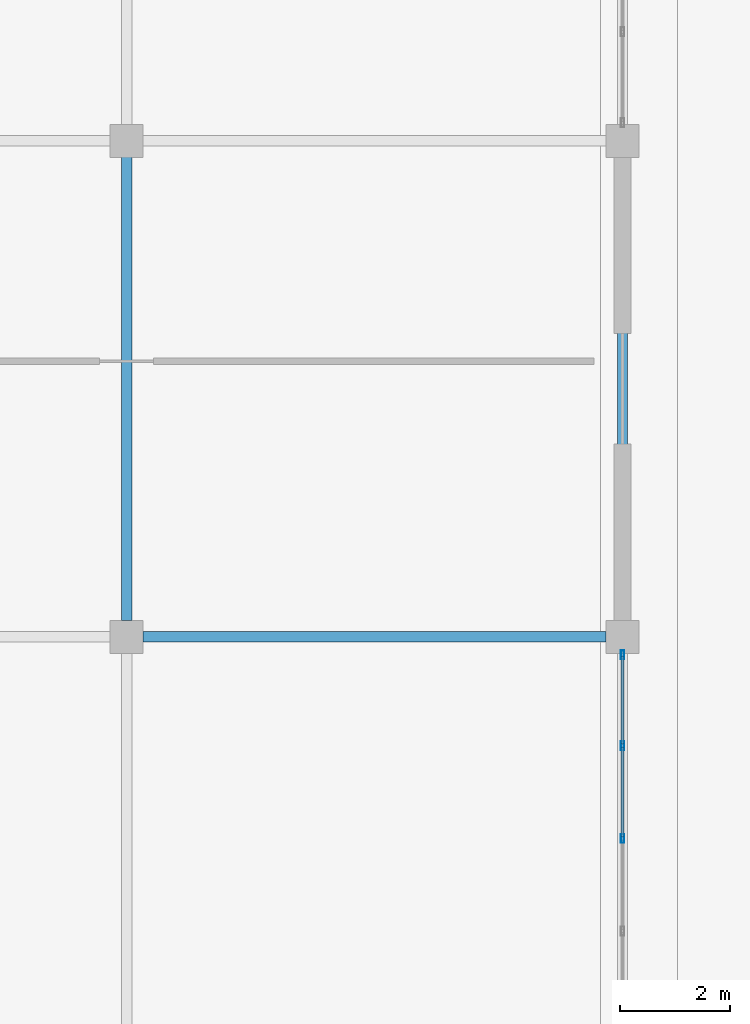
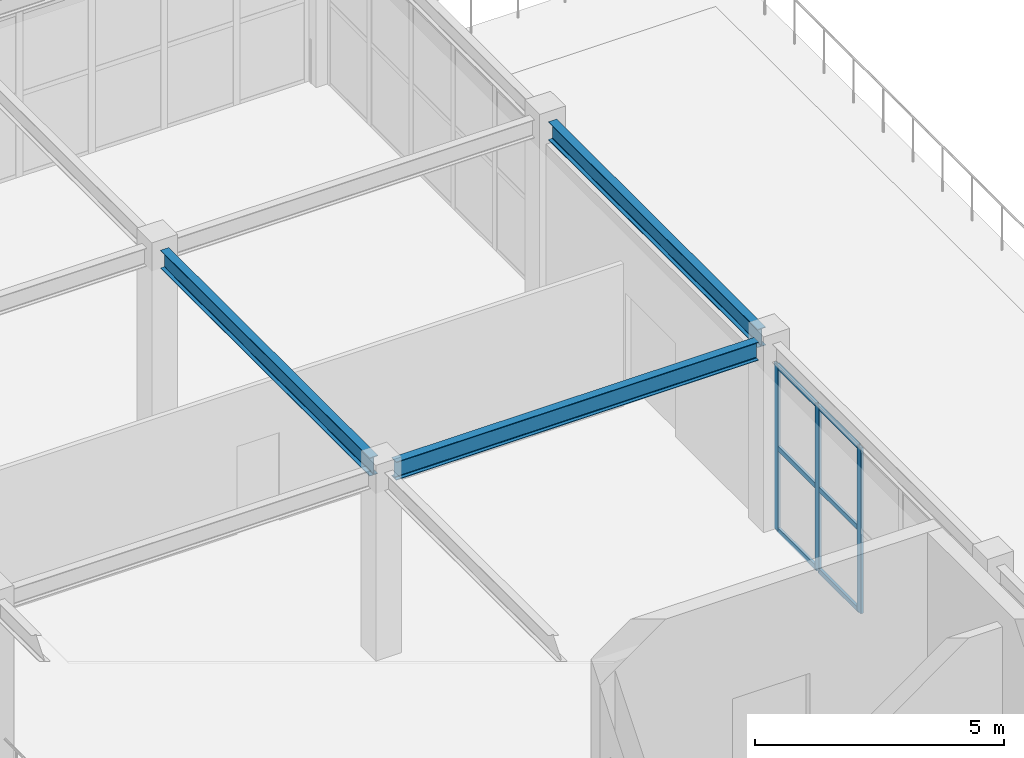
# One storey, part 90 of 167: 9 members, 3 beams, 1 element without a shape of its own.
"""IFC4 building model written with IfcOpenShell, lengths in metres."""

import ifcopenshell
import ifcopenshell.guid

model = None  # the IFC model being written
_history = None  # IfcOwnerHistory: only IFC2X3 demands one
_inside = {}  # id of a spatial element -> (the spatial element, [elements in it])
_under = {}  # id of a project, library or spatial element -> (it, [spatial elements below it])
_declared = {}  # id of a project -> (the project, [libraries it declares])
_typed = {}  # id of a type object -> (the type object, [elements of that type])
_made_of = {}  # id of a material, layer set ... -> (it, [elements and type objects made of it])


def new_model(schema):
    """Start an empty IFC model of exactly this schema.

    Asked for "IFC4X3", IfcOpenShell would pick the latest addendum, in which some entities
    have other attributes; the version numbers below select the first issue.
    IFC2X3 requires an IfcOwnerHistory on every rooted entity: one is made here for all.
    """
    global model, _history
    if schema == "IFC4X3":
        model = ifcopenshell.file(schema_version=(4, 3, 0, 0))
    else:
        model = ifcopenshell.file(schema=schema)
    _inside.clear()
    _under.clear()
    _declared.clear()
    _typed.clear()
    _made_of.clear()
    _history = None
    if model.schema == "IFC2X3":
        org = make("IfcOrganization", Name="unknown")
        user = make(
            "IfcPersonAndOrganization",
            ThePerson=make("IfcPerson", FamilyName="unknown"),
            TheOrganization=org,
        )
        app = make(
            "IfcApplication",
            ApplicationDeveloper=org,
            Version="unknown",
            ApplicationFullName="unknown",
            ApplicationIdentifier="unknown",
        )
        _history = make(
            "IfcOwnerHistory",
            OwningUser=user,
            OwningApplication=app,
            ChangeAction="ADDED",
            CreationDate=0,
        )
    return model


def make(cls, **values):
    """One entity of the class cls with the attributes given. An attribute that is None is left unset."""
    return model.create_entity(
        cls, **{name: value for name, value in values.items() if value is not None}
    )


def rooted(cls, **values):
    """An entity with a GlobalId (a new one), such as an element, a storey or a relation."""
    return make(cls, GlobalId=ifcopenshell.guid.new(), OwnerHistory=_history, **values)


def si_unit(unit_type, name, prefix=None):
    """IfcSIUnit, for example si_unit("LENGTHUNIT", "METRE", prefix="MILLI")."""
    return make("IfcSIUnit", UnitType=unit_type, Prefix=prefix, Name=name)


def assignment(units):
    """IfcUnitAssignment: the units of a project."""
    return None if units is None else make("IfcUnitAssignment", Units=units)


def point(xyz):
    """IfcCartesianPoint."""
    return None if xyz is None else make("IfcCartesianPoint", Coordinates=xyz)


def direction(xyz):
    """IfcDirection."""
    return None if xyz is None else make("IfcDirection", DirectionRatios=xyz)


def frame(location, z_axis=None, x_axis=None):
    """IfcAxis2Placement3D, a coordinate frame: its origin and axes. An axis left out is left unset."""
    return make(
        "IfcAxis2Placement3D",
        Location=point(location),
        Axis=direction(z_axis),
        RefDirection=direction(x_axis),
    )


def frame_2d(location, x_axis=None):
    """IfcAxis2Placement2D, a coordinate frame in the plane: its origin and x axis."""
    return make(
        "IfcAxis2Placement2D", Location=point(location), RefDirection=direction(x_axis)
    )


def origin():
    """The frame at (0, 0, 0) with its axes left unset."""
    return frame((0.0, 0.0, 0.0))


def origin_2d():
    """The frame at (0, 0) in the plane with its x axis left unset."""
    return frame_2d((0.0, 0.0))


def place(relative_to, where):
    """IfcLocalPlacement: puts the frame where relative to a parent placement (None: the world)."""
    return make(
        "IfcLocalPlacement", PlacementRelTo=relative_to, RelativePlacement=where
    )


def context(
    kind, dimensions, precision=None, world=None, true_north=None, identifier=None
):
    """IfcGeometricRepresentationContext, for example the 3D "Model" context."""
    return make(
        "IfcGeometricRepresentationContext",
        ContextIdentifier=identifier,
        ContextType=kind,
        CoordinateSpaceDimension=dimensions,
        Precision=precision,
        WorldCoordinateSystem=world,
        TrueNorth=true_north,
    )


def subcontext(parent, identifier, kind, view, scale=None):
    """IfcGeometricRepresentationSubContext, for example "Body" below "Model"."""
    return make(
        "IfcGeometricRepresentationSubContext",
        ContextIdentifier=identifier,
        ContextType=kind,
        ParentContext=parent,
        TargetScale=scale,
        TargetView=view,
    )


def project(units=None, contexts=None):
    """IfcProject with its units and contexts."""
    return rooted(
        "IfcProject",
        Name="project",
        RepresentationContexts=contexts,
        UnitsInContext=assignment(units),
    )


def spatial(cls, under=None, at=None, **own):
    """A site, building, storey or space (cls), placed at a placement, below another one or the project."""
    s = rooted(cls, ObjectPlacement=at, **own)
    if under is not None:
        _under.setdefault(under.id(), (under, []))[1].append(s)
    return s


def profile(cls, at=None, kind="AREA", **sizes):
    """A parametric profile (cls). Its sizes go by their IFC names, for example OverallWidth=200.0."""
    return make(cls, ProfileType=kind, Position=at, **sizes)


def hollow_rectangle(**sizes):
    """IfcRectangleHollowProfileDef."""
    return profile("IfcRectangleHollowProfileDef", **sizes)


def i_section(**sizes):
    """IfcIShapeProfileDef."""
    return profile("IfcIShapeProfileDef", **sizes)


def extrude(swept, where, along, depth):
    """IfcExtrudedAreaSolid: the profile swept, set in the frame where, extruded along a direction by depth."""
    return make(
        "IfcExtrudedAreaSolid",
        SweptArea=swept,
        Position=where,
        ExtrudedDirection=direction(along),
        Depth=depth,
    )


def shape(context_of_items, identifier, shape_type, items):
    """IfcShapeRepresentation: the items that make up one representation, for example the "Body"."""
    return make(
        "IfcShapeRepresentation",
        ContextOfItems=context_of_items,
        RepresentationIdentifier=identifier,
        RepresentationType=shape_type,
        Items=items,
    )


def material(Name=None, Category=None):
    """IfcMaterial."""
    return make("IfcMaterial", Name=Name, Category=Category)


def layer(
    of_material, thickness, ventilated=None, Name=None, Category=None, Priority=None
):
    """IfcMaterialLayer: one layer of a wall or slab, of a material (None: an air gap)."""
    return make(
        "IfcMaterialLayer",
        Material=of_material,
        LayerThickness=thickness,
        IsVentilated=ventilated,
        Name=Name,
        Category=Category,
        Priority=Priority,
    )


def layer_set(layers, Name=None):
    """IfcMaterialLayerSet."""
    return make("IfcMaterialLayerSet", MaterialLayers=layers, LayerSetName=Name)


def material_profile(
    of_material, cross_section, Name=None, Category=None, Priority=None
):
    """IfcMaterialProfile: a cross section and its material."""
    return make(
        "IfcMaterialProfile",
        Name=Name,
        Material=of_material,
        Profile=cross_section,
        Priority=Priority,
        Category=Category,
    )


def profile_set(profiles, Name=None, composite=None):
    """IfcMaterialProfileSet."""
    return make(
        "IfcMaterialProfileSet",
        Name=Name,
        MaterialProfiles=profiles,
        CompositeProfile=composite,
    )


def made_of(thing, what):
    """Note that an element or type object is made of a material, layer set ...; save() writes the relation."""
    if what is not None:
        _made_of.setdefault(what.id(), (what, []))[1].append(thing)
    return thing


def type_object(cls, material=None, **own):
    """A type object (cls), such as IfcWallType, which elements share."""
    return made_of(rooted(cls, **own), material)


def element(
    cls,
    number,
    at=None,
    inside=None,
    cuts=None,
    type_object=None,
    material=None,
    context=None,
    identifier="Body",
    shape_type=None,
    held_by="IfcProductDefinitionShape",
    body=None,
    shapes=None,
    **own,
):
    """One element of the class cls, such as IfcWall. Its Tag is "e" and its number.

    at: its placement. inside: the storey or other place that contains it. cuts: it is an
    opening in that element (IfcRelVoidsElement). A single representation is given by context,
    identifier, shape_type and body (its items); several are given by shapes. held_by: the class
    of the entity that holds the representations. save() writes the other relations.
    """
    e = rooted(cls, Tag="e%d" % number, ObjectPlacement=at, **own)
    if body is not None:
        shapes = [shape(context, identifier, shape_type, body)]
    if shapes is not None:
        e.Representation = make(held_by, Representations=shapes)
    if inside is not None:
        _inside.setdefault(inside.id(), (inside, []))[1].append(e)
    if cuts is not None:
        rooted(
            "IfcRelVoidsElement", RelatingBuildingElement=cuts, RelatedOpeningElement=e
        )
    if type_object is not None:
        _typed.setdefault(type_object.id(), (type_object, []))[1].append(e)
    return made_of(e, material)


def aggregate(whole, parts):
    """IfcRelAggregates: a whole, such as a stair, and the parts it consists of."""
    return rooted("IfcRelAggregates", RelatingObject=whole, RelatedObjects=parts)


def save(model, path):
    """Write the relations noted so far, then the file.

    IfcRelAggregates (storeys below a building ...), IfcRelContainedInSpatialStructure (elements
    in a storey), IfcRelDefinesByType, IfcRelAssociatesMaterial and IfcRelDeclares: one each for
    every whole, place, type object, material and project.
    """
    for whole, parts in _under.values():
        aggregate(whole, parts)
    for where, things in _inside.values():
        rooted(
            "IfcRelContainedInSpatialStructure",
            RelatedElements=things,
            RelatingStructure=where,
        )
    for kind, things in _typed.values():
        rooted("IfcRelDefinesByType", RelatedObjects=things, RelatingType=kind)
    for what, things in _made_of.values():
        rooted("IfcRelAssociatesMaterial", RelatedObjects=things, RelatingMaterial=what)
    for by, libraries in _declared.values():
        rooted("IfcRelDeclares", RelatingContext=by, RelatedDefinitions=libraries)
    model.write(path)


model = new_model("IFC4")

# Units and contexts
model_context = context("Model", 3, precision=1e-05, world=origin(), true_north=direction((0.0, 1.0)))
body_context = subcontext(model_context, "Body", "Model", "MODEL_VIEW")
ifc_project = project(units=[si_unit("LENGTHUNIT", "METRE"), si_unit("AREAUNIT", "SQUARE_METRE"), si_unit("VOLUMEUNIT", "CUBIC_METRE"), si_unit("PLANEANGLEUNIT", "RADIAN"), si_unit("MASSUNIT", "GRAM", prefix="KILO")], contexts=[model_context])

# Site, building, storey
site_placement = place(None, origin())
site = spatial("IfcSite", under=ifc_project, at=site_placement, CompositionType="ELEMENT")
building_placement = place(site_placement, origin())
building = spatial("IfcBuilding", under=site, at=building_placement, Name="Dornveld Trade and Exhibition Forum", CompositionType="ELEMENT")
storey_placement = place(building_placement, frame((0.0, 0.0, 16.800048828125)))
storey = spatial("IfcBuildingStorey", under=building, at=storey_placement, Name="L03", CompositionType="ELEMENT", Elevation=16.800048828125)

# Beams
ifc_material_1 = material(Name="Steel S355J2", Category="steel")
ifc_material_profile_1 = material_profile(ifc_material_1, i_section(OverallWidth=0.18994140625, OverallDepth=0.449951171875, WebThickness=0.009521484375, FlangeThickness=0.0146484375, FilletRadius=0.02099609375, at=origin_2d()), Name="IPE 450")
ifc_profile_set_1 = profile_set([ifc_material_profile_1], Name="Steel S355J2")
beam_type = type_object("IfcBeamType", Name="BM-SEC-450", PredefinedType="BEAM", material=ifc_profile_set_1)
for number, where, z_axis, x_axis, name in (
    (1, (207.2958984375, 36.0, 4.324951171875), (1.0, 0.0, 0.0), (0.0, 1.0, 0.0), "L03 X-girder 1612"),
    (2, (207.0, 36.2958984375, 4.324951171875), (0.0, 1.0, 0.0), (-1.0, 0.0, 0.0), "L03 Y-girder 1627"),
    (3, (216.0, 36.2958984375, 4.324951171875), (0.0, 1.0, 0.0), (-1.0, 0.0, 0.0), "L03 Y-girder 1633"),
):
    element("IfcBeam", number, at=place(storey_placement, frame(where, z_axis=z_axis, x_axis=x_axis)), inside=storey, type_object=beam_type, Name=name, PredefinedType="BEAM", context=body_context, shape_type="SweptSolid", body=[
        extrude(i_section(OverallWidth=0.18994140625, OverallDepth=0.449951171875, WebThickness=0.009521484375, FlangeThickness=0.0146484375, FilletRadius=0.02099609375, at=origin_2d()), origin(), (0.0, 0.0, 1.0), 8.408203125),
    ])

# Curtain wall, members
ifc_material_2 = material(Name="Dark-bronze anodised aluminium and low-E glass", Category="aluminium")
ifc_layer = layer(ifc_material_2, 0.172119140625)
ifc_layer_set = layer_set([ifc_layer], Name="Dark-bronze anodised aluminium and low-E glass")
curtain_wall_type = type_object("IfcCurtainWallType", Name="CW-SYS-10", PredefinedType="USERDEFINED", material=ifc_layer_set)
curtain_wall_placement = place(storey_placement, origin())
curtain_wall = element("IfcCurtainWall", 4, at=curtain_wall_placement, inside=storey, type_object=curtain_wall_type, Name="L03 unitised curtain wall 82", ObjectType="UNITISED_CURTAIN_WALL", PredefinedType="USERDEFINED")
ifc_material_3 = material(Name="Dark-bronze anodised aluminium", Category="aluminium")
ifc_material_profile_2 = material_profile(ifc_material_3, hollow_rectangle(XDim=0.06005859375, YDim=0.159912109375, WallThickness=0.00390625, at=origin_2d()), Name="RHS 160x60x4")
ifc_profile_set_2 = profile_set([ifc_material_profile_2], Name="Dark-bronze anodised aluminium")
member_type_1 = type_object("IfcMemberType", Name="CW-MUL-160", PredefinedType="MULLION", material=ifc_profile_set_2)
member_1_placement = place(storey_placement, frame((216.0, 32.3408203125, -0.004150390625), z_axis=(0.0, 0.0, 1.0), x_axis=(-1.0, 0.0, 0.0)))
member_1 = element("IfcMember", 5, at=member_1_placement, type_object=member_type_1, Name="CW-10 mullion 4", PredefinedType="MULLION", context=body_context, shape_type="SweptSolid", body=[
    extrude(hollow_rectangle(XDim=0.06005859375, YDim=0.159912109375, WallThickness=0.00390625, at=origin_2d()), origin(), (0.0, 0.0, 1.0), 4.064208984375),
])
member_2_placement = place(storey_placement, frame((216.0, 34.0224609375, -0.004150390625), z_axis=(0.0, 0.0, 1.0), x_axis=(-1.0, 0.0, 0.0)))
member_2 = element("IfcMember", 6, at=member_2_placement, type_object=member_type_1, Name="CW-10 mullion 5", PredefinedType="MULLION", context=body_context, shape_type="SweptSolid", body=[
    extrude(hollow_rectangle(XDim=0.06005859375, YDim=0.159912109375, WallThickness=0.00390625, at=origin_2d()), origin(), (0.0, 0.0, 1.0), 4.064208984375),
])
member_3_placement = place(storey_placement, frame((216.0, 35.674072265625, -0.004150390625), z_axis=(0.0, 0.0, 1.0), x_axis=(-1.0, 0.0, 0.0)))
member_3 = element("IfcMember", 7, at=member_3_placement, type_object=member_type_1, Name="CW-10 mullion 6", PredefinedType="MULLION", context=body_context, shape_type="SweptSolid", body=[
    extrude(hollow_rectangle(XDim=0.06005859375, YDim=0.159912109375, WallThickness=0.00390625, at=origin_2d()), origin(), (0.0, 0.0, 1.0), 4.064208984375),
])
ifc_material_4 = material(Name="Dark-bronze anodised aluminium", Category="aluminium")
ifc_material_profile_3 = material_profile(ifc_material_4, hollow_rectangle(XDim=0.06005859375, YDim=0.1201171875, WallThickness=0.00390625, at=origin_2d()), Name="RHS 120x60x4")
ifc_profile_set_3 = profile_set([ifc_material_profile_3], Name="Dark-bronze anodised aluminium")
member_type_2 = type_object("IfcMemberType", Name="CW-TRN-120", PredefinedType="USERDEFINED", material=ifc_profile_set_3)
member_4_placement = place(storey_placement, frame((216.0, 32.370849609375, 0.02587890625), z_axis=(0.0, 1.0, 0.0), x_axis=(-1.0, 0.0, 0.0)))
member_4 = element("IfcMember", 8, at=member_4_placement, type_object=member_type_2, Name="CW-10 transom 4.1", ObjectType="TRANSOM", PredefinedType="USERDEFINED", context=body_context, shape_type="SweptSolid", body=[
    extrude(hollow_rectangle(XDim=0.06005859375, YDim=0.1201171875, WallThickness=0.00390625, at=origin_2d()), origin(), (0.0, 0.0, 1.0), 1.62158203125),
])
member_5_placement = place(storey_placement, frame((216.0, 32.370849609375, 2.02783203125), z_axis=(0.0, 1.0, 0.0), x_axis=(-1.0, 0.0, 0.0)))
member_5 = element("IfcMember", 9, at=member_5_placement, type_object=member_type_2, Name="CW-10 transom 4.2", ObjectType="TRANSOM", PredefinedType="USERDEFINED", context=body_context, shape_type="SweptSolid", body=[
    extrude(hollow_rectangle(XDim=0.06005859375, YDim=0.1201171875, WallThickness=0.00390625, at=origin_2d()), origin(), (0.0, 0.0, 1.0), 1.62158203125),
])
member_6_placement = place(storey_placement, frame((216.0, 32.370849609375, 4.030029296875), z_axis=(0.0, 1.0, 0.0), x_axis=(-1.0, 0.0, 0.0)))
member_6 = element("IfcMember", 10, at=member_6_placement, type_object=member_type_2, Name="CW-10 transom 4.3", ObjectType="TRANSOM", PredefinedType="USERDEFINED", context=body_context, shape_type="SweptSolid", body=[
    extrude(hollow_rectangle(XDim=0.06005859375, YDim=0.1201171875, WallThickness=0.00390625, at=origin_2d()), origin(), (0.0, 0.0, 1.0), 1.62158203125),
])
member_7_placement = place(storey_placement, frame((216.0, 34.052490234375, 0.02587890625), z_axis=(0.0, 1.0, 0.0), x_axis=(-1.0, 0.0, 0.0)))
member_7 = element("IfcMember", 11, at=member_7_placement, type_object=member_type_2, Name="CW-10 transom 5.1", ObjectType="TRANSOM", PredefinedType="USERDEFINED", context=body_context, shape_type="SweptSolid", body=[
    extrude(hollow_rectangle(XDim=0.06005859375, YDim=0.1201171875, WallThickness=0.00390625, at=origin_2d()), origin(), (0.0, 0.0, 1.0), 1.591552734375),
])
member_8_placement = place(storey_placement, frame((216.0, 34.052490234375, 2.02783203125), z_axis=(0.0, 1.0, 0.0), x_axis=(-1.0, 0.0, 0.0)))
member_8 = element("IfcMember", 12, at=member_8_placement, type_object=member_type_2, Name="CW-10 transom 5.2", ObjectType="TRANSOM", PredefinedType="USERDEFINED", context=body_context, shape_type="SweptSolid", body=[
    extrude(hollow_rectangle(XDim=0.06005859375, YDim=0.1201171875, WallThickness=0.00390625, at=origin_2d()), origin(), (0.0, 0.0, 1.0), 1.591552734375),
])
member_9_placement = place(storey_placement, frame((216.0, 34.052490234375, 4.030029296875), z_axis=(0.0, 1.0, 0.0), x_axis=(-1.0, 0.0, 0.0)))
member_9 = element("IfcMember", 13, at=member_9_placement, type_object=member_type_2, Name="CW-10 transom 5.3", ObjectType="TRANSOM", PredefinedType="USERDEFINED", context=body_context, shape_type="SweptSolid", body=[
    extrude(hollow_rectangle(XDim=0.06005859375, YDim=0.1201171875, WallThickness=0.00390625, at=origin_2d()), origin(), (0.0, 0.0, 1.0), 1.591552734375),
])
aggregate(curtain_wall, [member_1, member_2, member_3, member_4, member_5, member_6, member_7, member_8, member_9])

save(model, "model.ifc")
